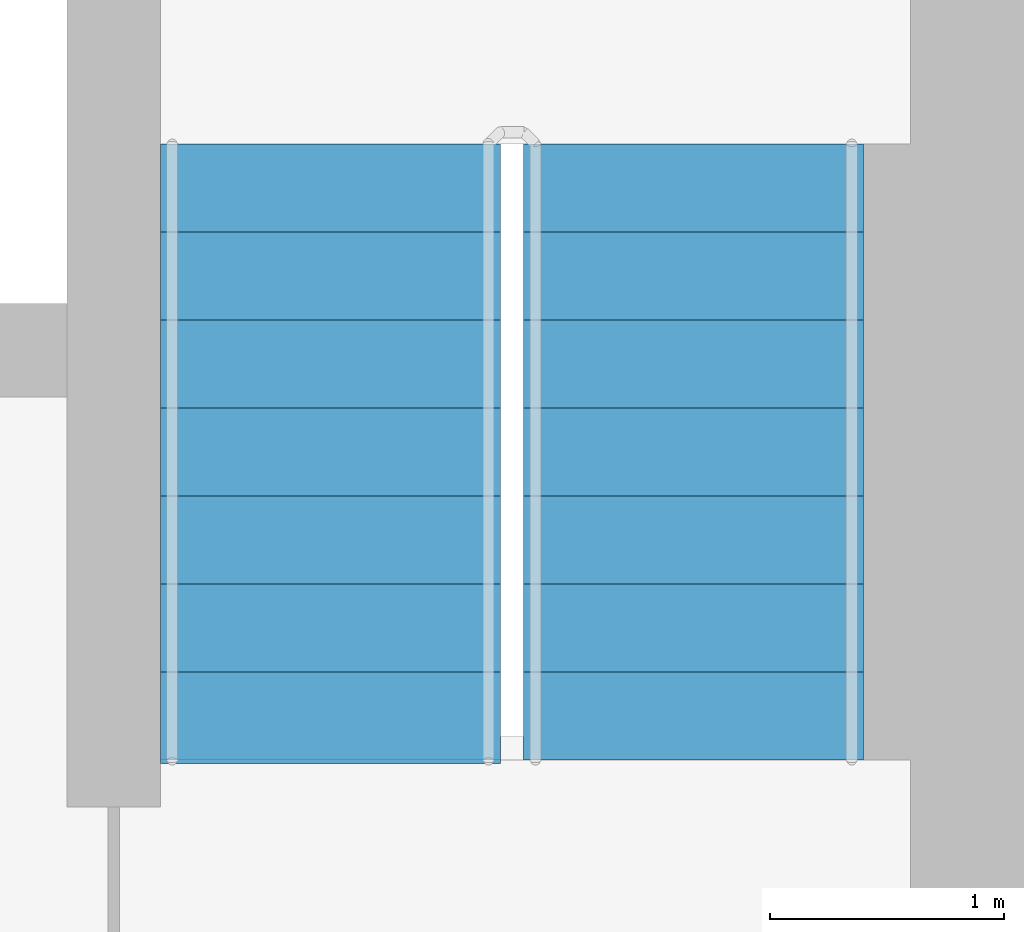
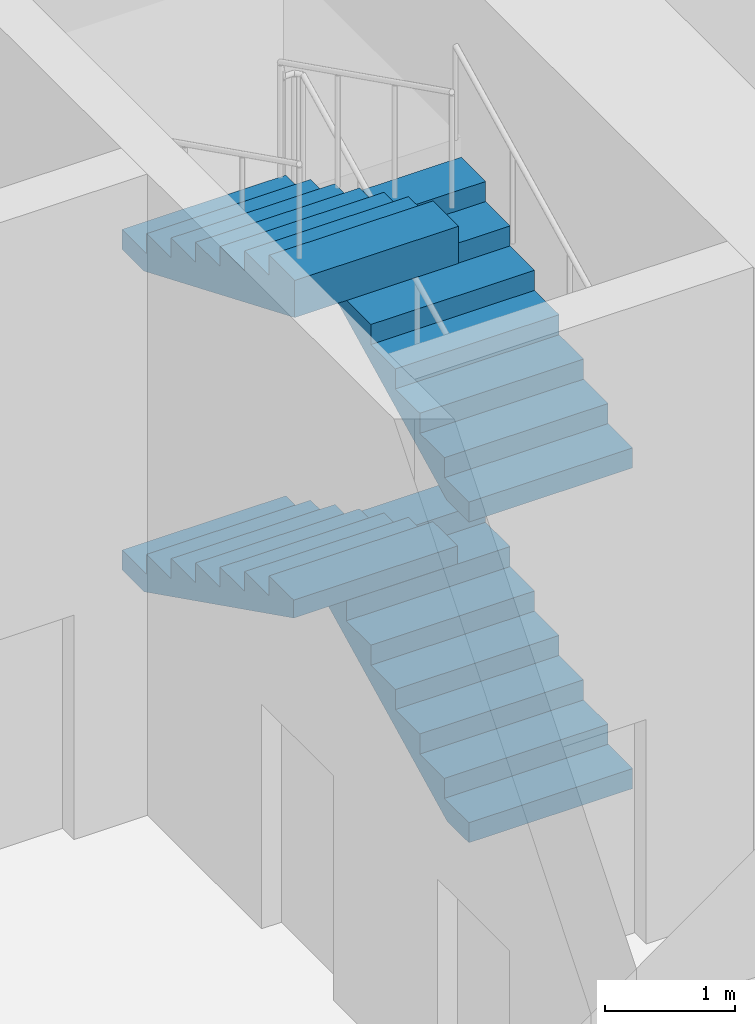
# One storey, part 17 of 22: 4 stair flights, 1 element without a shape of its own.
"""IFC4 building model written with IfcOpenShell, lengths in metres."""

from ifc_helpers import new_model, si_unit, direction, frame, origin, place, context, subcontext, project, spatial, polyline, outline, extrude, material, type_object, element, aggregate, save


model = new_model("IFC4")

# Units and contexts
model_context = context("Model", 3, precision=1e-05, world=origin(), true_north=direction((0.0, 1.0)))
body_context = subcontext(model_context, "Body", "Model", "MODEL_VIEW")
ifc_project = project(units=[si_unit("LENGTHUNIT", "METRE"), si_unit("AREAUNIT", "SQUARE_METRE"), si_unit("VOLUMEUNIT", "CUBIC_METRE"), si_unit("PLANEANGLEUNIT", "RADIAN"), si_unit("MASSUNIT", "GRAM", prefix="KILO")], contexts=[model_context])

# Site, building, storey
site_placement = place(None, origin())
site = spatial("IfcSite", under=ifc_project, at=site_placement, CompositionType="ELEMENT")
building_placement = place(site_placement, origin())
building = spatial("IfcBuilding", under=site, at=building_placement, Name="Bicima Exchange Tower", CompositionType="ELEMENT")
storey_placement = place(building_placement, frame((0.0, 0.0, 14.0)))
storey = spatial("IfcBuildingStorey", under=building, at=storey_placement, Name="L02", CompositionType="ELEMENT", Elevation=14.0)

# Stair, stair flights
ifc_material = material(Name="Concrete C50/60", Category="concrete")
stair_type = type_object("IfcStairType", Name="Exit stair", PredefinedType="HALF_TURN_STAIR", material=ifc_material)
stair_placement = place(storey_placement, origin())
stair = element("IfcStair", 1, at=stair_placement, inside=storey, type_object=stair_type, Name="L02 East exit stair", PredefinedType="HALF_TURN_STAIR")
stair_flight_type = type_object("IfcStairFlightType", Name="Stair flight RC", PredefinedType="STRAIGHT", material=ifc_material)
stair_flight_1_placement = place(storey_placement, frame((20.074951171875, -6.550048828125, 0.0), z_axis=(0.0, 0.0, 1.0), x_axis=(0.0, 1.0, 0.0)))
stair_flight_1 = element("IfcStairFlight", 2, at=stair_flight_1_placement, type_object=stair_flight_type, Name="ST-E flight 1", NumberOfRisers=8, NumberOfTreads=7, PredefinedType="STRAIGHT", RiserHeight=0.1875, TreadLength=0.375714286, context=body_context, shape_type="SweptSolid", body=[
    extrude(outline(polyline([(0.0, 0.0), (0.0, 0.1875), (0.375732421875, 0.1875), (0.375732421875, 0.375), (0.75146484375, 0.375), (0.75146484375, 0.5625), (1.127197265625, 0.5625), (1.127197265625, 0.75), (1.5029296875, 0.75), (1.5029296875, 0.9375), (1.878662109375, 0.9375), (1.878662109375, 1.125), (2.25439453125, 1.125), (2.25439453125, 1.3125), (2.6298828125, 1.3125), (2.6298828125, 1.5), (2.6298828125, 1.14501953125), (0.335693359375, 0.0), (0.0, 0.0)])), frame((0.0, 0.72509765625, 0.0), z_axis=(0.0, -1.0, 0.0), x_axis=(1.0, 0.0, 0.0)), (0.0, 0.0, 1.0), 1.449951171875),
])
stair_flight_2_placement = place(storey_placement, frame((18.52490234375, -3.919921875, 1.5), z_axis=(0.0, 0.0, 1.0), x_axis=(0.0, -1.0, 0.0)))
stair_flight_2 = element("IfcStairFlight", 3, at=stair_flight_2_placement, type_object=stair_flight_type, Name="ST-E flight 2", NumberOfRisers=8, NumberOfTreads=7, PredefinedType="STRAIGHT", RiserHeight=0.1875, TreadLength=0.375714286, context=body_context, shape_type="SweptSolid", body=[
    extrude(outline(polyline([(0.0, 0.0), (0.0, 0.1875), (0.375732421875, 0.1875), (0.375732421875, 0.375), (0.75146484375, 0.375), (0.75146484375, 0.5625), (1.127197265625, 0.5625), (1.127197265625, 0.75), (1.5029296875, 0.75), (1.5029296875, 0.9375), (1.878662109375, 0.9375), (1.878662109375, 1.125), (2.25439453125, 1.125), (2.25439453125, 1.3125), (2.6298828125, 1.3125), (2.6298828125, 1.5), (2.6298828125, 1.14501953125), (0.335693359375, 0.0), (0.0, 0.0)])), frame((0.0, 0.72509765625, 0.0), z_axis=(0.0, -1.0, 0.0), x_axis=(1.0, 0.0, 0.0)), (0.0, 0.0, 1.0), 1.449951171875),
])
stair_flight_3_placement = place(storey_placement, frame((20.074951171875, -6.550048828125, 3.0), z_axis=(0.0, 0.0, 1.0), x_axis=(0.0, 1.0, 0.0)))
stair_flight_3 = element("IfcStairFlight", 4, at=stair_flight_3_placement, type_object=stair_flight_type, Name="ST-E flight 3", NumberOfRisers=8, NumberOfTreads=7, PredefinedType="STRAIGHT", RiserHeight=0.1875, TreadLength=0.375714286, context=body_context, shape_type="SweptSolid", body=[
    extrude(outline(polyline([(0.0, 0.0), (0.0, 0.1875), (0.375732421875, 0.1875), (0.375732421875, 0.375), (0.75146484375, 0.375), (0.75146484375, 0.5625), (1.127197265625, 0.5625), (1.127197265625, 0.75), (1.5029296875, 0.75), (1.5029296875, 0.9375), (1.878662109375, 0.9375), (1.878662109375, 1.125), (2.25439453125, 1.125), (2.25439453125, 1.3125), (2.6298828125, 1.3125), (2.6298828125, 1.5), (2.6298828125, 1.14501953125), (0.335693359375, 0.0), (0.0, 0.0)])), frame((0.0, 0.72509765625, 0.0), z_axis=(0.0, -1.0, 0.0), x_axis=(1.0, 0.0, 0.0)), (0.0, 0.0, 1.0), 1.449951171875),
])
stair_flight_4_placement = place(storey_placement, frame((18.52490234375, -3.919921875, 4.5), z_axis=(0.0, 0.0, 1.0), x_axis=(0.0, -1.0, 0.0)))
stair_flight_4 = element("IfcStairFlight", 5, at=stair_flight_4_placement, type_object=stair_flight_type, Name="ST-E flight 4", NumberOfRisers=8, NumberOfTreads=7, PredefinedType="STRAIGHT", RiserHeight=0.1875, TreadLength=0.375714286, context=body_context, shape_type="SweptSolid", body=[
    extrude(outline(polyline([(0.0, 0.0), (0.0, 0.1875), (0.375732421875, 0.1875), (0.375732421875, 0.375), (0.75146484375, 0.375), (0.75146484375, 0.5625), (1.127197265625, 0.5625), (1.127197265625, 0.75), (1.5029296875, 0.75), (1.5029296875, 0.9375), (1.878662109375, 0.9375), (1.878662109375, 1.125), (2.25439453125, 1.125), (2.25439453125, 1.3125), (2.6298828125, 1.3125), (2.64501953125, 1.3125), (2.64501953125, 0.96484375), (0.335693359375, 0.0), (0.0, 0.0)])), frame((0.0, 0.72509765625, 0.0), z_axis=(0.0, -1.0, 0.0), x_axis=(1.0, 0.0, 0.0)), (0.0, 0.0, 1.0), 1.449951171875),
])
aggregate(stair, [stair_flight_1, stair_flight_2, stair_flight_3, stair_flight_4])

save(model, "model.ifc")
